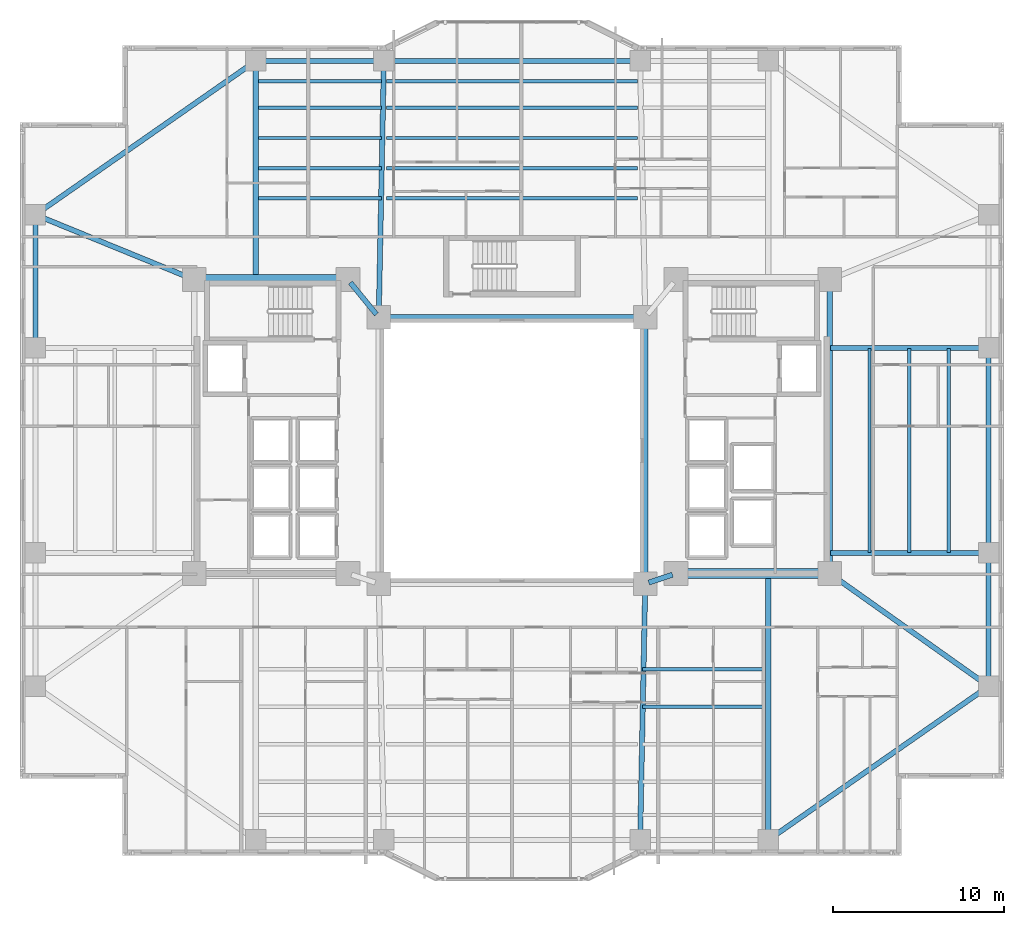
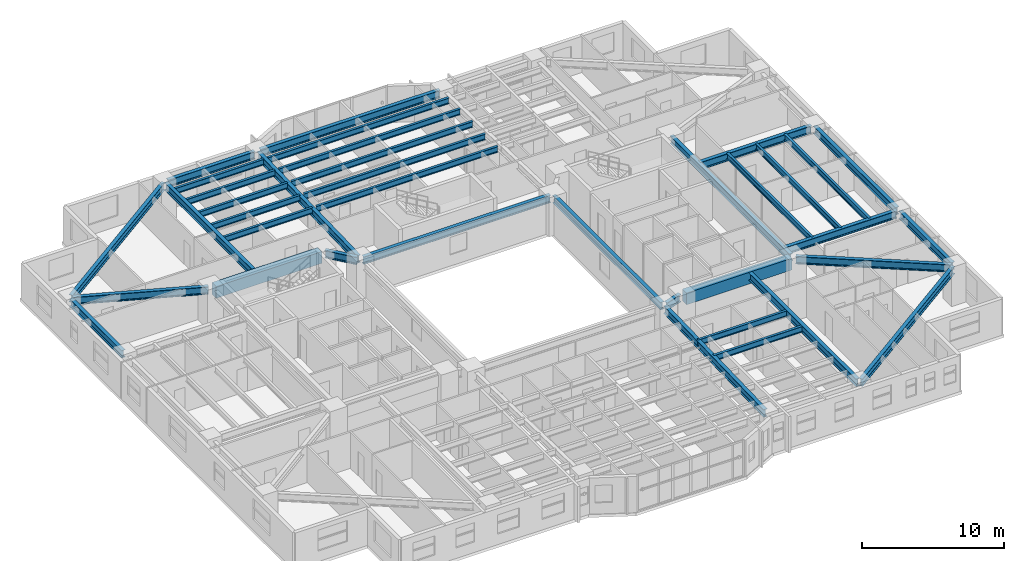
# One storey, part 5 of 22: 37 beams.
"""IFC4 building model written with IfcOpenShell, lengths in metres."""

from ifc_helpers import new_model, si_unit, direction, frame, origin, origin_2d, place, context, subcontext, project, spatial, rectangle, i_section, extrude, material, material_profile, profile_set, type_object, element, save


model = new_model("IFC4")

# Units and contexts
model_context = context("Model", 3, precision=1e-05, world=origin(), true_north=direction((0.0, 1.0)))
body_context = subcontext(model_context, "Body", "Model", "MODEL_VIEW")
ifc_project = project(units=[si_unit("LENGTHUNIT", "METRE"), si_unit("AREAUNIT", "SQUARE_METRE"), si_unit("VOLUMEUNIT", "CUBIC_METRE"), si_unit("PLANEANGLEUNIT", "RADIAN"), si_unit("MASSUNIT", "GRAM", prefix="KILO")], contexts=[model_context])

# Site, building, storey
site_placement = place(None, origin())
site = spatial("IfcSite", under=ifc_project, at=site_placement, CompositionType="ELEMENT")
building_placement = place(site_placement, origin())
building = spatial("IfcBuilding", under=site, at=building_placement, Name="Tarnavaz Court Tower", CompositionType="ELEMENT")
storey_placement = place(building_placement, frame((0.0, 0.0, 57.5)))
storey = spatial("IfcBuildingStorey", under=building, at=storey_placement, Name="L15", CompositionType="ELEMENT", Elevation=57.5)

# Beams
ifc_material_1 = material(Name="Concrete C60/75", Category="concrete")
ifc_material_profile_1 = material_profile(ifc_material_1, rectangle(XDim=0.60009765625, YDim=1.0, at=origin_2d()), Name="RC 600X1000")
ifc_profile_set_1 = profile_set([ifc_material_profile_1], Name="Concrete C60/75")
beam_type_1 = type_object("IfcBeamType", Name="BM-CB1000", PredefinedType="LINTEL", material=ifc_profile_set_1)
for number, where, z_axis, x_axis, name in (
    (1, (-18.3798828125, 10.0, 2.60009765625), (1.0, 0.0, 0.0), (0.0, 1.0, 0.0), "L15 Beam IN-CW-NO-CW-NI"),
    (2, (18.3798828125, -7.199951171875, 2.60009765625), (-1.0, 0.0, 0.0), (0.0, -1.0, 0.0), "L15 Beam IN-CE-SO-CE-SI"),
):
    element("IfcBeam", number, at=place(storey_placement, frame(where, z_axis=z_axis, x_axis=x_axis)), inside=storey, type_object=beam_type_1, Name=name, PredefinedType="LINTEL", context=body_context, shape_type="SweptSolid", body=[
        extrude(rectangle(XDim=0.60009765625, YDim=1.0, at=origin_2d()), origin(), (0.0, 0.0, 1.0), 8.559814453125),
    ])
ifc_material_2 = material(Name="Steel S355", Category="steel")
ifc_material_profile_2 = material_profile(ifc_material_2, i_section(OverallWidth=0.300048828125, OverallDepth=0.64990234375, WebThickness=0.01611328125, FlangeThickness=0.031005859375, FilletRadius=0.027099609375, at=origin_2d()), Name="HEB 650")
ifc_profile_set_2 = profile_set([ifc_material_profile_2], Name="Steel S355")
beam_type_2 = type_object("IfcBeamType", Name="BM-G-HEB650", PredefinedType="USERDEFINED", material=ifc_profile_set_2)
beam_1_placement = place(storey_placement, frame((9.391357421875, -7.26953125, 2.77490234375), z_axis=(-0.948666544706, -0.316278021615, 0.0), x_axis=(0.316278021615, -0.948666544706, 0.0)))
element("IfcBeam", 3, at=beam_1_placement, inside=storey, type_object=beam_type_2, Name="L15 Beam IN-CE-SI-IW-SE", ObjectType="GIRDER", PredefinedType="USERDEFINED", context=body_context, shape_type="SweptSolid", body=[
    extrude(i_section(OverallWidth=0.300048828125, OverallDepth=0.64990234375, WebThickness=0.01611328125, FlangeThickness=0.031005859375, FilletRadius=0.027099609375, at=origin_2d()), origin(), (0.0, 0.0, 1.0), 1.457275390625),
])
beam_2_placement = place(storey_placement, frame((-9.460693359375, 9.82958984375, 2.77490234375), z_axis=(0.633282058357, -0.773921077735, 0.0), x_axis=(0.773921077735, 0.633282058357, 0.0)))
element("IfcBeam", 4, at=beam_2_placement, inside=storey, type_object=beam_type_2, Name="L15 Beam IN-CW-NI-IW-NW", ObjectType="GIRDER", PredefinedType="USERDEFINED", context=body_context, shape_type="SweptSolid", body=[
    extrude(i_section(OverallWidth=0.300048828125, OverallDepth=0.64990234375, WebThickness=0.01611328125, FlangeThickness=0.031005859375, FilletRadius=0.027099609375, at=origin_2d()), origin(), (0.0, 0.0, 1.0), 2.402587890625),
])
beam_3_placement = place(storey_placement, frame((18.60009765625, -6.97998046875, 2.77490234375), z_axis=(0.0, 1.0, 0.0), x_axis=(-1.0, 0.0, 0.0)))
element("IfcBeam", 5, at=beam_3_placement, inside=storey, type_object=beam_type_2, Name="L15 Beam IN-CE-SO-CE-NO", ObjectType="GIRDER", PredefinedType="USERDEFINED", context=body_context, shape_type="SweptSolid", body=[
    extrude(i_section(OverallWidth=0.300048828125, OverallDepth=0.64990234375, WebThickness=0.01611328125, FlangeThickness=0.031005859375, FilletRadius=0.027099609375, at=origin_2d()), origin(), (0.0, 0.0, 1.0), 16.760009765625),
])
beam_4_placement = place(storey_placement, frame((-15.0, 10.0400390625, 2.77490234375), z_axis=(0.0, 1.0, 0.0), x_axis=(-1.0, 0.0, 0.0)))
element("IfcBeam", 6, at=beam_4_placement, inside=storey, type_object=beam_type_2, Name="L15 Beam RG-01", ObjectType="GIRDER", PredefinedType="USERDEFINED", context=body_context, shape_type="SweptSolid", body=[
    extrude(i_section(OverallWidth=0.300048828125, OverallDepth=0.64990234375, WebThickness=0.01611328125, FlangeThickness=0.031005859375, FilletRadius=0.027099609375, at=origin_2d()), origin(), (0.0, 0.0, 1.0), 12.5400390625),
])
for number, where, z_axis, x_axis, name in (
    (7, (-7.795654296875, 8.02001953125, 2.77490234375), (0.020000023066, 0.999799979535, 0.0), (-0.999799979535, 0.020000023066, 0.0), "L15 Beam RG-02"),
    (8, (7.795654296875, -8.02001953125, 2.77490234375), (-0.020000023066, -0.999799979535, 0.0), (0.999799979535, -0.020000023066, 0.0), "L15 Beam RG-07"),
):
    element("IfcBeam", number, at=place(storey_placement, frame(where, z_axis=z_axis, x_axis=x_axis)), inside=storey, type_object=beam_type_2, Name=name, ObjectType="GIRDER", PredefinedType="USERDEFINED", context=body_context, shape_type="SweptSolid", body=[
        extrude(i_section(OverallWidth=0.300048828125, OverallDepth=0.64990234375, WebThickness=0.01611328125, FlangeThickness=0.031005859375, FilletRadius=0.027099609375, at=origin_2d()), origin(), (0.0, 0.0, 1.0), 14.56298828125),
    ])
beam_5_placement = place(storey_placement, frame((15.0, -7.239990234375, 2.77490234375), z_axis=(0.0, -1.0, 0.0), x_axis=(1.0, 0.0, 0.0)))
element("IfcBeam", 9, at=beam_5_placement, inside=storey, type_object=beam_type_2, Name="L15 Beam RG-08", ObjectType="GIRDER", PredefinedType="USERDEFINED", context=body_context, shape_type="SweptSolid", body=[
    extrude(i_section(OverallWidth=0.300048828125, OverallDepth=0.64990234375, WebThickness=0.01611328125, FlangeThickness=0.031005859375, FilletRadius=0.027099609375, at=origin_2d()), origin(), (0.0, 0.0, 1.0), 15.340087890625),
])
for number, where, z_axis, x_axis, name in (
    (10, (18.639892578125, -6.0, 2.77490234375), (1.0, 0.0, 0.0), (0.0, 1.0, 0.0), "L15 Beam RG-09"),
    (11, (18.639892578125, 6.0, 2.77490234375), (1.0, 0.0, 0.0), (0.0, 1.0, 0.0), "L15 Beam RG-10"),
):
    element("IfcBeam", number, at=place(storey_placement, frame(where, z_axis=z_axis, x_axis=x_axis)), inside=storey, type_object=beam_type_2, Name=name, ObjectType="GIRDER", PredefinedType="USERDEFINED", context=body_context, shape_type="SweptSolid", body=[
        extrude(i_section(OverallWidth=0.300048828125, OverallDepth=0.64990234375, WebThickness=0.01611328125, FlangeThickness=0.031005859375, FilletRadius=0.027099609375, at=origin_2d()), origin(), (0.0, 0.0, 1.0), 9.0400390625),
    ])
beam_6_placement = place(storey_placement, frame((18.779296875, -7.327392578125, 2.77490234375), z_axis=(0.815520027245, -0.578728852886, 0.0), x_axis=(0.578728852886, 0.815520027245, 0.0)))
element("IfcBeam", 12, at=beam_6_placement, inside=storey, type_object=beam_type_2, Name="L15 Beam RG-11", ObjectType="GIRDER", PredefinedType="USERDEFINED", context=body_context, shape_type="SweptSolid", body=[
    extrude(i_section(OverallWidth=0.300048828125, OverallDepth=0.64990234375, WebThickness=0.01611328125, FlangeThickness=0.031005859375, FilletRadius=0.027099609375, at=origin_2d()), origin(), (0.0, 0.0, 1.0), 10.964111328125),
])
beam_7_placement = place(storey_placement, frame((-18.8037109375, 10.083251953125, 2.77490234375), z_axis=(-0.925704761705, 0.378246869329, 0.0), x_axis=(-0.378246869329, -0.925704761705, 0.0)))
element("IfcBeam", 13, at=beam_7_placement, inside=storey, type_object=beam_type_2, Name="L15 Beam RG-16", ObjectType="GIRDER", PredefinedType="USERDEFINED", context=body_context, shape_type="SweptSolid", body=[
    extrude(i_section(OverallWidth=0.300048828125, OverallDepth=0.64990234375, WebThickness=0.01611328125, FlangeThickness=0.031005859375, FilletRadius=0.027099609375, at=origin_2d()), origin(), (0.0, 0.0, 1.0), 9.606201171875),
])
ifc_material_profile_3 = material_profile(ifc_material_2, i_section(OverallWidth=0.199951171875, OverallDepth=0.5, WebThickness=0.01025390625, FlangeThickness=0.01611328125, FilletRadius=0.02099609375, at=origin_2d()), Name="IPE 500")
ifc_profile_set_3 = profile_set([ifc_material_profile_3], Name="Steel S355")
beam_type_3 = type_object("IfcBeamType", Name="BM-J-IPE500", PredefinedType="JOIST", material=ifc_profile_set_3)
beam_8_placement = place(storey_placement, frame((-14.85009765625, 14.763916015625, 2.85009765625), z_axis=(1.0, 0.0, 0.0), x_axis=(0.0, 1.0, 0.0)))
element("IfcBeam", 14, at=beam_8_placement, inside=storey, type_object=beam_type_3, Name="L15 Beam JN1-1", PredefinedType="JOIST", context=body_context, shape_type="SweptSolid", body=[
    extrude(i_section(OverallWidth=0.199951171875, OverallDepth=0.5, WebThickness=0.01025390625, FlangeThickness=0.01611328125, FilletRadius=0.02099609375, at=origin_2d()), origin(), (0.0, 0.0, 1.0), 7.2001953125),
])
beam_9_placement = place(storey_placement, frame((-7.35009765625, 14.763916015625, 2.85009765625), z_axis=(1.0, 0.0, 0.0), x_axis=(0.0, 1.0, 0.0)))
element("IfcBeam", 15, at=beam_9_placement, inside=storey, type_object=beam_type_3, Name="L15 Beam JN1-2", PredefinedType="JOIST", context=body_context, shape_type="SweptSolid", body=[
    extrude(i_section(OverallWidth=0.199951171875, OverallDepth=0.5, WebThickness=0.01025390625, FlangeThickness=0.01611328125, FilletRadius=0.02099609375, at=origin_2d()), origin(), (0.0, 0.0, 1.0), 14.7001953125),
])
for number, where, z_axis, x_axis, name in (
    (16, (7.64990234375, -12.7958984375, 2.85009765625), (1.0, 0.0, 0.0), (0.0, 1.0, 0.0), "L15 Beam JS1-3"),
    (17, (-14.85009765625, 16.528076171875, 2.85009765625), (1.0, 0.0, 0.0), (0.0, 1.0, 0.0), "L15 Beam JN2-1"),
):
    element("IfcBeam", number, at=place(storey_placement, frame(where, z_axis=z_axis, x_axis=x_axis)), inside=storey, type_object=beam_type_3, Name=name, PredefinedType="JOIST", context=body_context, shape_type="SweptSolid", body=[
        extrude(i_section(OverallWidth=0.199951171875, OverallDepth=0.5, WebThickness=0.01025390625, FlangeThickness=0.01611328125, FilletRadius=0.02099609375, at=origin_2d()), origin(), (0.0, 0.0, 1.0), 7.2001953125),
    ])
beam_10_placement = place(storey_placement, frame((-7.35009765625, 16.528076171875, 2.85009765625), z_axis=(1.0, 0.0, 0.0), x_axis=(0.0, 1.0, 0.0)))
element("IfcBeam", 18, at=beam_10_placement, inside=storey, type_object=beam_type_3, Name="L15 Beam JN2-2", PredefinedType="JOIST", context=body_context, shape_type="SweptSolid", body=[
    extrude(i_section(OverallWidth=0.199951171875, OverallDepth=0.5, WebThickness=0.01025390625, FlangeThickness=0.01611328125, FilletRadius=0.02099609375, at=origin_2d()), origin(), (0.0, 0.0, 1.0), 14.7001953125),
])
for number, where, z_axis, x_axis, name in (
    (19, (7.64990234375, -14.991943359375, 2.85009765625), (1.0, 0.0, 0.0), (0.0, 1.0, 0.0), "L15 Beam JS2-3"),
    (20, (-14.85009765625, 18.2919921875, 2.85009765625), (1.0, 0.0, 0.0), (0.0, 1.0, 0.0), "L15 Beam JN3-1"),
):
    element("IfcBeam", number, at=place(storey_placement, frame(where, z_axis=z_axis, x_axis=x_axis)), inside=storey, type_object=beam_type_3, Name=name, PredefinedType="JOIST", context=body_context, shape_type="SweptSolid", body=[
        extrude(i_section(OverallWidth=0.199951171875, OverallDepth=0.5, WebThickness=0.01025390625, FlangeThickness=0.01611328125, FilletRadius=0.02099609375, at=origin_2d()), origin(), (0.0, 0.0, 1.0), 7.2001953125),
    ])
beam_11_placement = place(storey_placement, frame((-7.35009765625, 18.2919921875, 2.85009765625), z_axis=(1.0, 0.0, 0.0), x_axis=(0.0, 1.0, 0.0)))
element("IfcBeam", 21, at=beam_11_placement, inside=storey, type_object=beam_type_3, Name="L15 Beam JN3-2", PredefinedType="JOIST", context=body_context, shape_type="SweptSolid", body=[
    extrude(i_section(OverallWidth=0.199951171875, OverallDepth=0.5, WebThickness=0.01025390625, FlangeThickness=0.01611328125, FilletRadius=0.02099609375, at=origin_2d()), origin(), (0.0, 0.0, 1.0), 14.7001953125),
])
beam_12_placement = place(storey_placement, frame((-14.85009765625, 20.055908203125, 2.85009765625), z_axis=(1.0, 0.0, 0.0), x_axis=(0.0, 1.0, 0.0)))
element("IfcBeam", 22, at=beam_12_placement, inside=storey, type_object=beam_type_3, Name="L15 Beam JN4-1", PredefinedType="JOIST", context=body_context, shape_type="SweptSolid", body=[
    extrude(i_section(OverallWidth=0.199951171875, OverallDepth=0.5, WebThickness=0.01025390625, FlangeThickness=0.01611328125, FilletRadius=0.02099609375, at=origin_2d()), origin(), (0.0, 0.0, 1.0), 7.2001953125),
])
beam_13_placement = place(storey_placement, frame((-7.35009765625, 20.055908203125, 2.85009765625), z_axis=(1.0, 0.0, 0.0), x_axis=(0.0, 1.0, 0.0)))
element("IfcBeam", 23, at=beam_13_placement, inside=storey, type_object=beam_type_3, Name="L15 Beam JN4-2", PredefinedType="JOIST", context=body_context, shape_type="SweptSolid", body=[
    extrude(i_section(OverallWidth=0.199951171875, OverallDepth=0.5, WebThickness=0.01025390625, FlangeThickness=0.01611328125, FilletRadius=0.02099609375, at=origin_2d()), origin(), (0.0, 0.0, 1.0), 14.7001953125),
])
beam_14_placement = place(storey_placement, frame((-14.85009765625, 21.6240234375, 2.85009765625), z_axis=(1.0, 0.0, 0.0), x_axis=(0.0, 1.0, 0.0)))
element("IfcBeam", 24, at=beam_14_placement, inside=storey, type_object=beam_type_3, Name="L15 Beam JN5-1", PredefinedType="JOIST", context=body_context, shape_type="SweptSolid", body=[
    extrude(i_section(OverallWidth=0.199951171875, OverallDepth=0.5, WebThickness=0.01025390625, FlangeThickness=0.01611328125, FilletRadius=0.02099609375, at=origin_2d()), origin(), (0.0, 0.0, 1.0), 7.2001953125),
])
beam_15_placement = place(storey_placement, frame((-7.35009765625, 21.6240234375, 2.85009765625), z_axis=(1.0, 0.0, 0.0), x_axis=(0.0, 1.0, 0.0)))
element("IfcBeam", 25, at=beam_15_placement, inside=storey, type_object=beam_type_3, Name="L15 Beam JN5-2", PredefinedType="JOIST", context=body_context, shape_type="SweptSolid", body=[
    extrude(i_section(OverallWidth=0.199951171875, OverallDepth=0.5, WebThickness=0.01025390625, FlangeThickness=0.01611328125, FilletRadius=0.02099609375, at=origin_2d()), origin(), (0.0, 0.0, 1.0), 14.7001953125),
])
for number, where, z_axis, x_axis, name in (
    (26, (20.925048828125, -5.9599609375, 2.85009765625), (0.0, 1.0, 0.0), (-1.0, 0.0, 0.0), "L15 Beam JE1"),
    (27, (23.25, -5.9599609375, 2.85009765625), (0.0, 1.0, 0.0), (-1.0, 0.0, 0.0), "L15 Beam JE2"),
    (28, (25.574951171875, -5.9599609375, 2.85009765625), (0.0, 1.0, 0.0), (-1.0, 0.0, 0.0), "L15 Beam JE3"),
):
    element("IfcBeam", number, at=place(storey_placement, frame(where, z_axis=z_axis, x_axis=x_axis)), inside=storey, type_object=beam_type_3, Name=name, PredefinedType="JOIST", context=body_context, shape_type="SweptSolid", body=[
        extrude(i_section(OverallWidth=0.199951171875, OverallDepth=0.5, WebThickness=0.01025390625, FlangeThickness=0.01611328125, FilletRadius=0.02099609375, at=origin_2d()), origin(), (0.0, 0.0, 1.0), 11.919921875),
    ])
ifc_material_profile_4 = material_profile(ifc_material_2, i_section(OverallWidth=0.300048828125, OverallDepth=0.639892578125, WebThickness=0.013427734375, FlangeThickness=0.02587890625, FilletRadius=0.027099609375, at=origin_2d()), Name="HEA 650")
ifc_profile_set_4 = profile_set([ifc_material_profile_4], Name="Steel S355")
beam_type_4 = type_object("IfcBeamType", Name="BM-SP-HEA650", PredefinedType="SPANDREL", material=ifc_profile_set_4)
for number, where, z_axis, x_axis, name in (
    (29, (-7.580078125, 7.800048828125, 2.780029296875), (1.0, 0.0, 0.0), (0.0, 1.0, 0.0), "L15 Beam IN-IW-NW-IW-NE"),
    (30, (7.800048828125, -7.580078125, 2.780029296875), (0.0, 1.0, 0.0), (-1.0, 0.0, 0.0), "L15 Beam IN-IW-SE-IW-NE"),
):
    element("IfcBeam", number, at=place(storey_placement, frame(where, z_axis=z_axis, x_axis=x_axis)), inside=storey, type_object=beam_type_4, Name=name, PredefinedType="SPANDREL", context=body_context, shape_type="SweptSolid", body=[
        extrude(i_section(OverallWidth=0.300048828125, OverallDepth=0.639892578125, WebThickness=0.013427734375, FlangeThickness=0.02587890625, FilletRadius=0.027099609375, at=origin_2d()), origin(), (0.0, 0.0, 1.0), 15.16015625),
    ])
beam_16_placement = place(storey_placement, frame((-14.780029296875, 22.800048828125, 2.780029296875), z_axis=(1.0, 0.0, 0.0), x_axis=(0.0, 1.0, 0.0)))
element("IfcBeam", 31, at=beam_16_placement, inside=storey, type_object=beam_type_4, Name="L15 Beam PR-PN-1-PN-2", PredefinedType="SPANDREL", context=body_context, shape_type="SweptSolid", body=[
    extrude(i_section(OverallWidth=0.300048828125, OverallDepth=0.639892578125, WebThickness=0.013427734375, FlangeThickness=0.02587890625, FilletRadius=0.027099609375, at=origin_2d()), origin(), (0.0, 0.0, 1.0), 7.06005859375),
])
beam_17_placement = place(storey_placement, frame((-7.280029296875, 22.800048828125, 2.780029296875), z_axis=(1.0, 0.0, 0.0), x_axis=(0.0, 1.0, 0.0)))
element("IfcBeam", 32, at=beam_17_placement, inside=storey, type_object=beam_type_4, Name="L15 Beam PR-PN-2-PN-3", PredefinedType="SPANDREL", context=body_context, shape_type="SweptSolid", body=[
    extrude(i_section(OverallWidth=0.300048828125, OverallDepth=0.639892578125, WebThickness=0.013427734375, FlangeThickness=0.02587890625, FilletRadius=0.027099609375, at=origin_2d()), origin(), (0.0, 0.0, 1.0), 14.56005859375),
])
beam_18_placement = place(storey_placement, frame((27.89990234375, -13.580078125, 2.780029296875), z_axis=(0.0, 1.0, 0.0), x_axis=(-1.0, 0.0, 0.0)))
element("IfcBeam", 33, at=beam_18_placement, inside=storey, type_object=beam_type_4, Name="L15 Beam PR-PE-1-PE-2", PredefinedType="SPANDREL", context=body_context, shape_type="SweptSolid", body=[
    extrude(i_section(OverallWidth=0.300048828125, OverallDepth=0.639892578125, WebThickness=0.013427734375, FlangeThickness=0.02587890625, FilletRadius=0.027099609375, at=origin_2d()), origin(), (0.0, 0.0, 1.0), 7.360107421875),
])
beam_19_placement = place(storey_placement, frame((27.89990234375, -5.780029296875, 2.780029296875), z_axis=(0.0, 1.0, 0.0), x_axis=(-1.0, 0.0, 0.0)))
element("IfcBeam", 34, at=beam_19_placement, inside=storey, type_object=beam_type_4, Name="L15 Beam PR-PE-2-PE-3", PredefinedType="SPANDREL", context=body_context, shape_type="SweptSolid", body=[
    extrude(i_section(OverallWidth=0.300048828125, OverallDepth=0.639892578125, WebThickness=0.013427734375, FlangeThickness=0.02587890625, FilletRadius=0.027099609375, at=origin_2d()), origin(), (0.0, 0.0, 1.0), 11.56005859375),
])
beam_20_placement = place(storey_placement, frame((-27.89990234375, 6.219970703125, 2.780029296875), z_axis=(0.0, 1.0, 0.0), x_axis=(-1.0, 0.0, 0.0)))
element("IfcBeam", 35, at=beam_20_placement, inside=storey, type_object=beam_type_4, Name="L15 Beam PR-PW-3-PW-4", PredefinedType="SPANDREL", context=body_context, shape_type="SweptSolid", body=[
    extrude(i_section(OverallWidth=0.300048828125, OverallDepth=0.639892578125, WebThickness=0.013427734375, FlangeThickness=0.02587890625, FilletRadius=0.027099609375, at=origin_2d()), origin(), (0.0, 0.0, 1.0), 7.360107421875),
])
for number, where, z_axis, x_axis, name in (
    (36, (27.719482421875, -13.92578125, 2.780029296875), (-0.820123643324, -0.572186341729, 0.0), (0.572186341729, -0.820123643324, 0.0), "L15 Beam PR-PE-1-PS-4"),
    (37, (-27.719482421875, 13.92578125, 2.780029296875), (0.820123643324, 0.572186341729, 0.0), (-0.572186341729, 0.820123643324, 0.0), "L15 Beam PR-PW-4-PN-1"),
):
    element("IfcBeam", number, at=place(storey_placement, frame(where, z_axis=z_axis, x_axis=x_axis)), inside=storey, type_object=beam_type_4, Name=name, PredefinedType="SPANDREL", context=body_context, shape_type="SweptSolid", body=[
        extrude(i_section(OverallWidth=0.300048828125, OverallDepth=0.639892578125, WebThickness=0.013427734375, FlangeThickness=0.02587890625, FilletRadius=0.027099609375, at=origin_2d()), origin(), (0.0, 0.0, 1.0), 15.289306640625),
    ])

save(model, "model.ifc")
